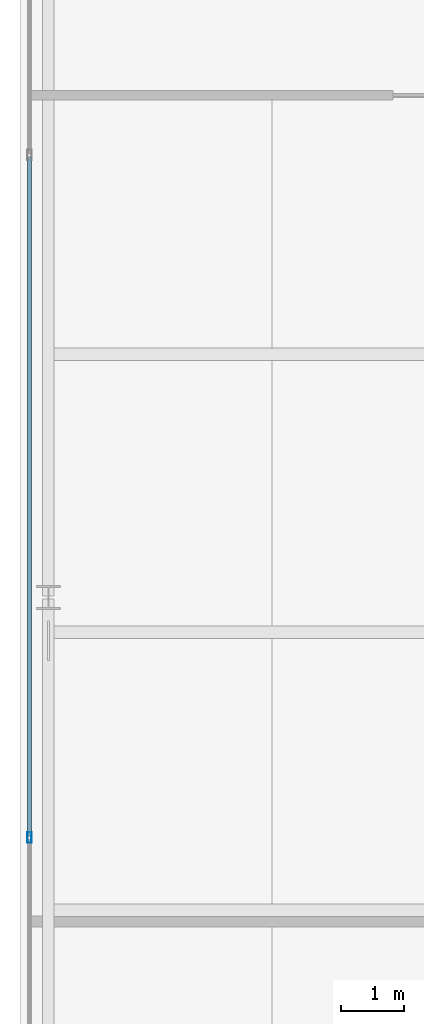
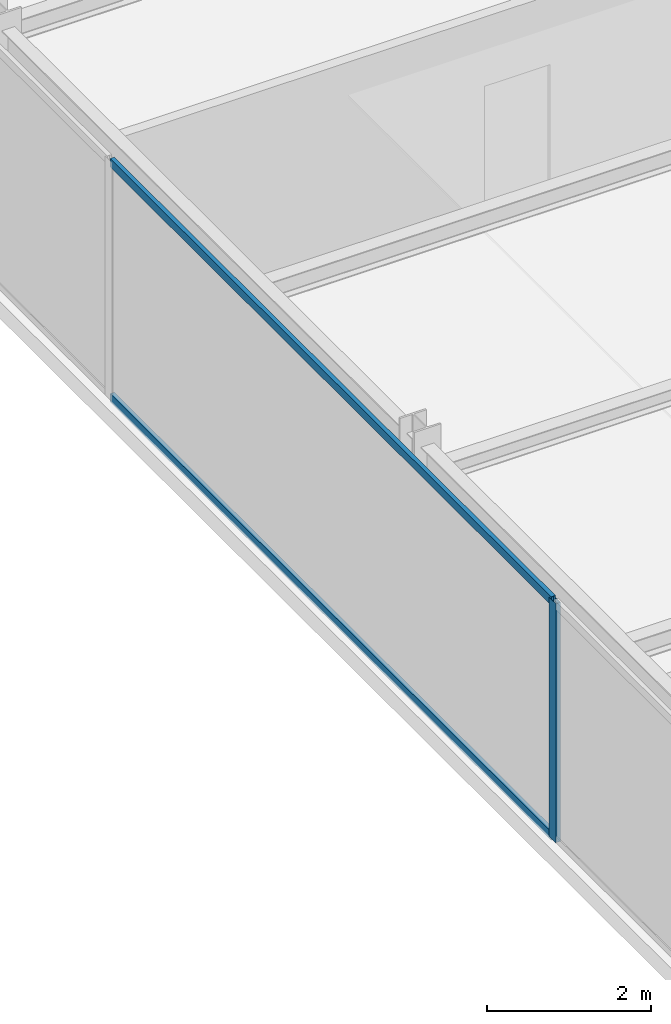
# One storey, part 10 of 31: 3 members, 1 element without a shape of its own.
"""IFC4 building model written with IfcOpenShell, lengths in metres."""

import ifcopenshell
import ifcopenshell.guid

model = None  # the IFC model being written
_history = None  # IfcOwnerHistory: only IFC2X3 demands one
_inside = {}  # id of a spatial element -> (the spatial element, [elements in it])
_under = {}  # id of a project, library or spatial element -> (it, [spatial elements below it])
_declared = {}  # id of a project -> (the project, [libraries it declares])
_typed = {}  # id of a type object -> (the type object, [elements of that type])
_made_of = {}  # id of a material, layer set ... -> (it, [elements and type objects made of it])


def new_model(schema):
    """Start an empty IFC model of exactly this schema.

    Asked for "IFC4X3", IfcOpenShell would pick the latest addendum, in which some entities
    have other attributes; the version numbers below select the first issue.
    IFC2X3 requires an IfcOwnerHistory on every rooted entity: one is made here for all.
    """
    global model, _history
    if schema == "IFC4X3":
        model = ifcopenshell.file(schema_version=(4, 3, 0, 0))
    else:
        model = ifcopenshell.file(schema=schema)
    _inside.clear()
    _under.clear()
    _declared.clear()
    _typed.clear()
    _made_of.clear()
    _history = None
    if model.schema == "IFC2X3":
        org = make("IfcOrganization", Name="unknown")
        user = make(
            "IfcPersonAndOrganization",
            ThePerson=make("IfcPerson", FamilyName="unknown"),
            TheOrganization=org,
        )
        app = make(
            "IfcApplication",
            ApplicationDeveloper=org,
            Version="unknown",
            ApplicationFullName="unknown",
            ApplicationIdentifier="unknown",
        )
        _history = make(
            "IfcOwnerHistory",
            OwningUser=user,
            OwningApplication=app,
            ChangeAction="ADDED",
            CreationDate=0,
        )
    return model


def make(cls, **values):
    """One entity of the class cls with the attributes given. An attribute that is None is left unset."""
    return model.create_entity(
        cls, **{name: value for name, value in values.items() if value is not None}
    )


def rooted(cls, **values):
    """An entity with a GlobalId (a new one), such as an element, a storey or a relation."""
    return make(cls, GlobalId=ifcopenshell.guid.new(), OwnerHistory=_history, **values)


def si_unit(unit_type, name, prefix=None):
    """IfcSIUnit, for example si_unit("LENGTHUNIT", "METRE", prefix="MILLI")."""
    return make("IfcSIUnit", UnitType=unit_type, Prefix=prefix, Name=name)


def assignment(units):
    """IfcUnitAssignment: the units of a project."""
    return None if units is None else make("IfcUnitAssignment", Units=units)


def point(xyz):
    """IfcCartesianPoint."""
    return None if xyz is None else make("IfcCartesianPoint", Coordinates=xyz)


def direction(xyz):
    """IfcDirection."""
    return None if xyz is None else make("IfcDirection", DirectionRatios=xyz)


def frame(location, z_axis=None, x_axis=None):
    """IfcAxis2Placement3D, a coordinate frame: its origin and axes. An axis left out is left unset."""
    return make(
        "IfcAxis2Placement3D",
        Location=point(location),
        Axis=direction(z_axis),
        RefDirection=direction(x_axis),
    )


def frame_2d(location, x_axis=None):
    """IfcAxis2Placement2D, a coordinate frame in the plane: its origin and x axis."""
    return make(
        "IfcAxis2Placement2D", Location=point(location), RefDirection=direction(x_axis)
    )


def origin():
    """The frame at (0, 0, 0) with its axes left unset."""
    return frame((0.0, 0.0, 0.0))


def origin_2d():
    """The frame at (0, 0) in the plane with its x axis left unset."""
    return frame_2d((0.0, 0.0))


def place(relative_to, where):
    """IfcLocalPlacement: puts the frame where relative to a parent placement (None: the world)."""
    return make(
        "IfcLocalPlacement", PlacementRelTo=relative_to, RelativePlacement=where
    )


def context(
    kind, dimensions, precision=None, world=None, true_north=None, identifier=None
):
    """IfcGeometricRepresentationContext, for example the 3D "Model" context."""
    return make(
        "IfcGeometricRepresentationContext",
        ContextIdentifier=identifier,
        ContextType=kind,
        CoordinateSpaceDimension=dimensions,
        Precision=precision,
        WorldCoordinateSystem=world,
        TrueNorth=true_north,
    )


def subcontext(parent, identifier, kind, view, scale=None):
    """IfcGeometricRepresentationSubContext, for example "Body" below "Model"."""
    return make(
        "IfcGeometricRepresentationSubContext",
        ContextIdentifier=identifier,
        ContextType=kind,
        ParentContext=parent,
        TargetScale=scale,
        TargetView=view,
    )


def project(units=None, contexts=None):
    """IfcProject with its units and contexts."""
    return rooted(
        "IfcProject",
        Name="project",
        RepresentationContexts=contexts,
        UnitsInContext=assignment(units),
    )


def spatial(cls, under=None, at=None, **own):
    """A site, building, storey or space (cls), placed at a placement, below another one or the project."""
    s = rooted(cls, ObjectPlacement=at, **own)
    if under is not None:
        _under.setdefault(under.id(), (under, []))[1].append(s)
    return s


def profile(cls, at=None, kind="AREA", **sizes):
    """A parametric profile (cls). Its sizes go by their IFC names, for example OverallWidth=200.0."""
    return make(cls, ProfileType=kind, Position=at, **sizes)


def hollow_rectangle(**sizes):
    """IfcRectangleHollowProfileDef."""
    return profile("IfcRectangleHollowProfileDef", **sizes)


def extrude(swept, where, along, depth):
    """IfcExtrudedAreaSolid: the profile swept, set in the frame where, extruded along a direction by depth."""
    return make(
        "IfcExtrudedAreaSolid",
        SweptArea=swept,
        Position=where,
        ExtrudedDirection=direction(along),
        Depth=depth,
    )


def shape(context_of_items, identifier, shape_type, items):
    """IfcShapeRepresentation: the items that make up one representation, for example the "Body"."""
    return make(
        "IfcShapeRepresentation",
        ContextOfItems=context_of_items,
        RepresentationIdentifier=identifier,
        RepresentationType=shape_type,
        Items=items,
    )


def source(mapping_origin, context_of_items, identifier, shape_type, items):
    """IfcRepresentationMap: a shape defined once, which mapped items show again and again."""
    return make(
        "IfcRepresentationMap",
        MappingOrigin=mapping_origin,
        MappedRepresentation=shape(context_of_items, identifier, shape_type, items),
    )


def transform(
    local_origin,
    x_axis=None,
    y_axis=None,
    z_axis=None,
    scale=None,
    scale2=None,
    scale3=None,
    uniform=True,
):
    """IfcCartesianTransformationOperator3D, or its non-uniform kind. x_axis, y_axis, z_axis: its Axis1, 2, 3."""
    if uniform:
        return make(
            "IfcCartesianTransformationOperator3D",
            Axis1=direction(x_axis),
            Axis2=direction(y_axis),
            LocalOrigin=point(local_origin),
            Scale=scale,
            Axis3=direction(z_axis),
        )
    return make(
        "IfcCartesianTransformationOperator3DnonUniform",
        Axis1=direction(x_axis),
        Axis2=direction(y_axis),
        LocalOrigin=point(local_origin),
        Scale=scale,
        Axis3=direction(z_axis),
        Scale2=scale2,
        Scale3=scale3,
    )


def mapped(mapping_source, mapping_target):
    """IfcMappedItem: shows the shape of a source again, moved by a transform."""
    return make(
        "IfcMappedItem", MappingSource=mapping_source, MappingTarget=mapping_target
    )


def material(Name=None, Category=None):
    """IfcMaterial."""
    return make("IfcMaterial", Name=Name, Category=Category)


def layer(
    of_material, thickness, ventilated=None, Name=None, Category=None, Priority=None
):
    """IfcMaterialLayer: one layer of a wall or slab, of a material (None: an air gap)."""
    return make(
        "IfcMaterialLayer",
        Material=of_material,
        LayerThickness=thickness,
        IsVentilated=ventilated,
        Name=Name,
        Category=Category,
        Priority=Priority,
    )


def layer_set(layers, Name=None):
    """IfcMaterialLayerSet."""
    return make("IfcMaterialLayerSet", MaterialLayers=layers, LayerSetName=Name)


def material_profile(
    of_material, cross_section, Name=None, Category=None, Priority=None
):
    """IfcMaterialProfile: a cross section and its material."""
    return make(
        "IfcMaterialProfile",
        Name=Name,
        Material=of_material,
        Profile=cross_section,
        Priority=Priority,
        Category=Category,
    )


def profile_set(profiles, Name=None, composite=None):
    """IfcMaterialProfileSet."""
    return make(
        "IfcMaterialProfileSet",
        Name=Name,
        MaterialProfiles=profiles,
        CompositeProfile=composite,
    )


def made_of(thing, what):
    """Note that an element or type object is made of a material, layer set ...; save() writes the relation."""
    if what is not None:
        _made_of.setdefault(what.id(), (what, []))[1].append(thing)
    return thing


def type_object(cls, material=None, **own):
    """A type object (cls), such as IfcWallType, which elements share."""
    return made_of(rooted(cls, **own), material)


def type_shapes(of_type, sources):
    """Give a type object the sources (RepresentationMaps) that its elements show as mapped items."""
    of_type.RepresentationMaps = sources


def element(
    cls,
    number,
    at=None,
    inside=None,
    cuts=None,
    type_object=None,
    material=None,
    context=None,
    identifier="Body",
    shape_type=None,
    held_by="IfcProductDefinitionShape",
    body=None,
    shapes=None,
    **own,
):
    """One element of the class cls, such as IfcWall. Its Tag is "e" and its number.

    at: its placement. inside: the storey or other place that contains it. cuts: it is an
    opening in that element (IfcRelVoidsElement). A single representation is given by context,
    identifier, shape_type and body (its items); several are given by shapes. held_by: the class
    of the entity that holds the representations. save() writes the other relations.
    """
    e = rooted(cls, Tag="e%d" % number, ObjectPlacement=at, **own)
    if body is not None:
        shapes = [shape(context, identifier, shape_type, body)]
    if shapes is not None:
        e.Representation = make(held_by, Representations=shapes)
    if inside is not None:
        _inside.setdefault(inside.id(), (inside, []))[1].append(e)
    if cuts is not None:
        rooted(
            "IfcRelVoidsElement", RelatingBuildingElement=cuts, RelatedOpeningElement=e
        )
    if type_object is not None:
        _typed.setdefault(type_object.id(), (type_object, []))[1].append(e)
    return made_of(e, material)


def aggregate(whole, parts):
    """IfcRelAggregates: a whole, such as a stair, and the parts it consists of."""
    return rooted("IfcRelAggregates", RelatingObject=whole, RelatedObjects=parts)


def save(model, path):
    """Write the relations noted so far, then the file.

    IfcRelAggregates (storeys below a building ...), IfcRelContainedInSpatialStructure (elements
    in a storey), IfcRelDefinesByType, IfcRelAssociatesMaterial and IfcRelDeclares: one each for
    every whole, place, type object, material and project.
    """
    for whole, parts in _under.values():
        aggregate(whole, parts)
    for where, things in _inside.values():
        rooted(
            "IfcRelContainedInSpatialStructure",
            RelatedElements=things,
            RelatingStructure=where,
        )
    for kind, things in _typed.values():
        rooted("IfcRelDefinesByType", RelatedObjects=things, RelatingType=kind)
    for what, things in _made_of.values():
        rooted("IfcRelAssociatesMaterial", RelatedObjects=things, RelatingMaterial=what)
    for by, libraries in _declared.values():
        rooted("IfcRelDeclares", RelatingContext=by, RelatedDefinitions=libraries)
    model.write(path)


model = new_model("IFC4")

# Units and contexts
model_context = context("Model", 3, precision=1e-05, world=origin(), true_north=direction((0.0, 1.0)))
body_context = subcontext(model_context, "Body", "Model", "MODEL_VIEW")
ifc_project = project(units=[si_unit("LENGTHUNIT", "METRE"), si_unit("AREAUNIT", "SQUARE_METRE"), si_unit("VOLUMEUNIT", "CUBIC_METRE"), si_unit("PLANEANGLEUNIT", "RADIAN"), si_unit("MASSUNIT", "GRAM", prefix="KILO")], contexts=[model_context])

# Site, building, storey
site_placement = place(None, origin())
site = spatial("IfcSite", under=ifc_project, at=site_placement, CompositionType="ELEMENT")
building_placement = place(site_placement, origin())
building = spatial("IfcBuilding", under=site, at=building_placement, Name="Varnel Quay Broadcast Tower", CompositionType="ELEMENT")
storey_placement = place(building_placement, frame((0.0, 0.0, 153.39990234375)))
storey = spatial("IfcBuildingStorey", under=building, at=storey_placement, Name="L37", CompositionType="ELEMENT", Elevation=153.39990234375)

# Curtain wall, members
ifc_material = material(Name="Anodised Bronze Aluminium 6063-T6", Category="aluminium")
ifc_layer = layer(ifc_material, 0.18994140625, Name="Anodised Bronze Aluminium 6063-T6")
ifc_layer_set = layer_set([ifc_layer], Name="Anodised Bronze Aluminium 6063-T6")
curtain_wall_type = type_object("IfcCurtainWallType", Name="CW_UpperTower", PredefinedType="NOTDEFINED", material=ifc_layer_set)
curtain_wall_placement = place(storey_placement, origin())
curtain_wall = element("IfcCurtainWall", 1, at=curtain_wall_placement, inside=storey, type_object=curtain_wall_type, Name="L37 West Unitised Curtain Wall", PredefinedType="NOTDEFINED")
ifc_material_profile_1 = material_profile(ifc_material, hollow_rectangle(XDim=0.06494140625, YDim=0.1650390625, WallThickness=0.00341796875, at=origin_2d()), Name="ALU65X165X3.5")
ifc_profile_set_1 = profile_set([ifc_material_profile_1], Name="Anodised Bronze Aluminium 6063-T6")
member_type_1 = type_object("IfcMemberType", Name="Mull_CWS-03", PredefinedType="MULLION", material=ifc_profile_set_1)
shared_shape_1 = source(origin(), body_context, "Body", "SweptSolid", [
    extrude(hollow_rectangle(XDim=0.06494140625, YDim=0.1650390625, WallThickness=0.00341796875, at=origin_2d()), origin(), (0.0, 0.0, 1.0), 3.550048828125),
])
type_shapes(member_type_1, [shared_shape_1])
member_1_placement = place(storey_placement, frame((7.14990234375, 21.60009765625, 0.0), z_axis=(0.0, 0.0, 1.0), x_axis=(-1.0, 0.0, 0.0)))
member_1 = element("IfcMember", 2, at=member_1_placement, type_object=member_type_1, Name="CWS-03 mullion 2", PredefinedType="MULLION", context=body_context, shape_type="MappedRepresentation", body=[
    mapped(shared_shape_1, transform((0.0, 0.0, 0.0), x_axis=(1.0, 0.0, 0.0), y_axis=(0.0, 1.0, 0.0), z_axis=(0.0, 0.0, 1.0), scale=1.0)),
])
ifc_material_profile_2 = material_profile(ifc_material, hollow_rectangle(XDim=0.06005859375, YDim=0.125, WallThickness=0.0029296875, at=origin_2d()), Name="ALU60X125X3")
ifc_profile_set_2 = profile_set([ifc_material_profile_2], Name="Anodised Bronze Aluminium 6063-T6")
member_type_2 = type_object("IfcMemberType", Name="Tran_CWS-03", PredefinedType="USERDEFINED", material=ifc_profile_set_2)
shared_shape_2 = source(origin(), body_context, "Body", "SweptSolid", [
    extrude(hollow_rectangle(XDim=0.06005859375, YDim=0.125, WallThickness=0.0029296875, at=origin_2d()), origin(), (0.0, 0.0, 1.0), 10.73486328125),
])
type_shapes(member_type_2, [shared_shape_2])
member_2_placement = place(storey_placement, frame((7.14990234375, 21.632568359375, 0.030029296875), z_axis=(0.0, 1.0, 0.0), x_axis=(-1.0, 0.0, 0.0)))
member_2 = element("IfcMember", 3, at=member_2_placement, type_object=member_type_2, Name="CWS-03 transom 2.1", ObjectType="TRANSOM", PredefinedType="USERDEFINED", context=body_context, shape_type="MappedRepresentation", body=[
    mapped(shared_shape_2, transform((0.0, 0.0, 0.0), x_axis=(1.0, 0.0, 0.0), y_axis=(0.0, 1.0, 0.0), z_axis=(0.0, 0.0, 1.0), scale=1.0)),
])
member_3_placement = place(storey_placement, frame((7.14990234375, 21.632568359375, 3.52001953125), z_axis=(0.0, 1.0, 0.0), x_axis=(-1.0, 0.0, 0.0)))
member_3 = element("IfcMember", 4, at=member_3_placement, type_object=member_type_2, Name="CWS-03 transom 2.2", ObjectType="TRANSOM", PredefinedType="USERDEFINED", context=body_context, shape_type="MappedRepresentation", body=[
    mapped(shared_shape_2, transform((0.0, 0.0, 0.0), x_axis=(1.0, 0.0, 0.0), y_axis=(0.0, 1.0, 0.0), z_axis=(0.0, 0.0, 1.0), scale=1.0)),
])
aggregate(curtain_wall, [member_1, member_2, member_3])

save(model, "model.ifc")
